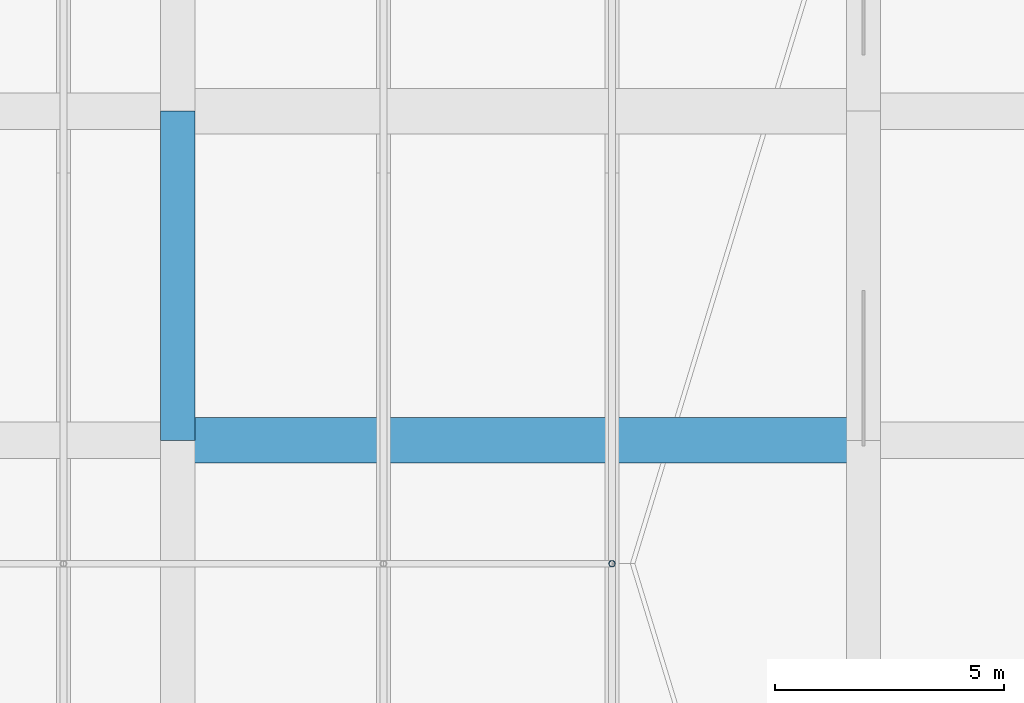
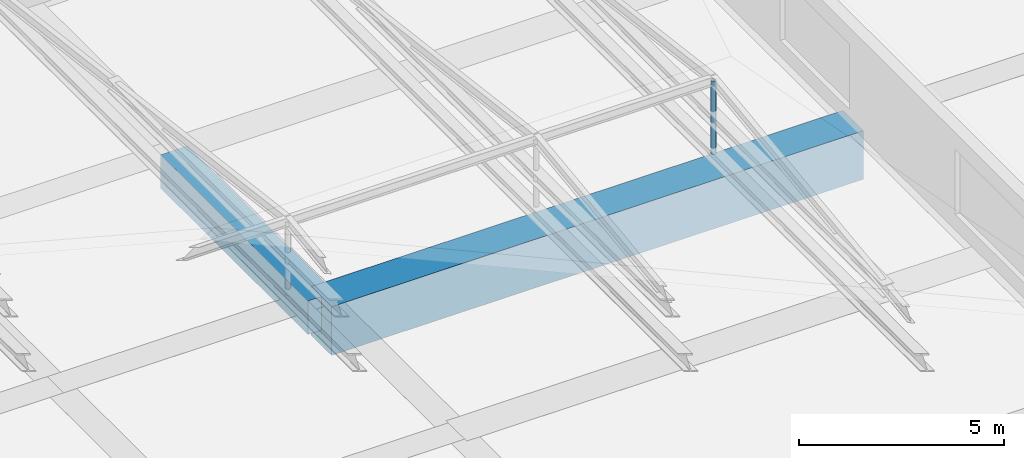
# One storey, part 30 of 49: 2 beams, 1 member.
"""IFC4 building model written with IfcOpenShell, lengths in metres."""

from ifc_helpers import new_model, si_unit, direction, frame, origin, origin_2d, place, context, subcontext, project, spatial, rectangle, hollow_circle, extrude, material, material_profile, profile_set, type_object, element, save


model = new_model("IFC4")

# Units and contexts
model_context = context("Model", 3, precision=1e-05, world=origin(), true_north=direction((0.0, 1.0)))
body_context = subcontext(model_context, "Body", "Model", "MODEL_VIEW")
ifc_project = project(units=[si_unit("LENGTHUNIT", "METRE"), si_unit("AREAUNIT", "SQUARE_METRE"), si_unit("VOLUMEUNIT", "CUBIC_METRE"), si_unit("PLANEANGLEUNIT", "RADIAN"), si_unit("MASSUNIT", "GRAM", prefix="KILO")], contexts=[model_context])

# Site, building, storey
site_placement = place(None, origin())
site = spatial("IfcSite", under=ifc_project, at=site_placement, CompositionType="ELEMENT")
building_placement = place(site_placement, origin())
building = spatial("IfcBuilding", under=site, at=building_placement, Name="Akrevak Sports Hall", CompositionType="ELEMENT")
storey_placement = place(building_placement, frame((0.0, 0.0, 24.14990234375)))
storey = spatial("IfcBuildingStorey", under=building, at=storey_placement, Name="L04", CompositionType="ELEMENT", Elevation=24.14990234375)

# Beams
ifc_material_1 = material(Name="Concrete C50/60", Category="concrete")
ifc_material_profile_1 = material_profile(ifc_material_1, rectangle(XDim=1.0, YDim=1.449951171875, at=origin_2d()), Name="BM 1000x1450", Category="concrete")
ifc_profile_set_1 = profile_set([ifc_material_profile_1], Name="Concrete C50/60")
beam_type_1 = type_object("IfcBeamType", Name="STR-BM-LG1000x1450", PredefinedType="BEAM", material=ifc_profile_set_1)
beam_1_placement = place(storey_placement, frame((145.5, 55.199951171875, -0.724853515625), z_axis=(1.0, 0.0, 0.0), x_axis=(0.0, 1.0, 0.0)))
element("IfcBeam", 1, at=beam_1_placement, inside=storey, type_object=beam_type_1, Name="Girder I/20-22 (L04)", PredefinedType="BEAM", context=body_context, shape_type="SweptSolid", body=[
    extrude(rectangle(XDim=1.0, YDim=1.449951171875, at=origin_2d()), origin(), (0.0, 0.0, 1.0), 15.0),
])
ifc_material_profile_2 = material_profile(ifc_material_1, rectangle(XDim=0.75, YDim=1.0, at=origin_2d()), Name="BM 750x1000", Category="concrete")
ifc_profile_set_2 = profile_set([ifc_material_profile_2], Name="Concrete C50/60")
beam_type_2 = type_object("IfcBeamType", Name="STR-BM-RC750x1000", PredefinedType="BEAM", material=ifc_profile_set_2)
beam_2_placement = place(storey_placement, frame((145.5, 55.199951171875, -0.5), z_axis=(0.0, 1.0, 0.0), x_axis=(-1.0, 0.0, 0.0)))
element("IfcBeam", 2, at=beam_2_placement, inside=storey, type_object=beam_type_2, Name="Girder 20/I-J (L04)", PredefinedType="BEAM", context=body_context, shape_type="SweptSolid", body=[
    extrude(rectangle(XDim=0.75, YDim=1.0, at=origin_2d()), origin(), (0.0, 0.0, 1.0), 7.199951171875),
])

# Member
ifc_material_2 = material(Name="Steel S355", Category="steel")
ifc_material_profile_3 = material_profile(ifc_material_2, hollow_circle(Radius=0.06982421875, WallThickness=0.008056640625, at=origin_2d()), Name="CHS 139.7x8", Category="steel")
ifc_profile_set_3 = profile_set([ifc_material_profile_3], Name="Steel S355")
member_type = type_object("IfcMemberType", Name="STR-MEM-BRACE-CHS139", PredefinedType="BRACE", material=ifc_profile_set_3)
member_placement = place(storey_placement, frame((155.0, 52.5, 2.60009765625), z_axis=(0.0, 0.0, 1.0), x_axis=(1.0, 0.0, 0.0)))
element("IfcMember", 3, at=member_placement, inside=storey, type_object=member_type, Name="East Volleyball & Climbing Hall Monitor Roof Central King Post 4", PredefinedType="BRACE", context=body_context, shape_type="SweptSolid", body=[
    extrude(hollow_circle(Radius=0.06982421875, WallThickness=0.008056640625, at=origin_2d()), origin(), (0.0, 0.0, 1.0), 2.179931640625),
])

save(model, "model.ifc")
